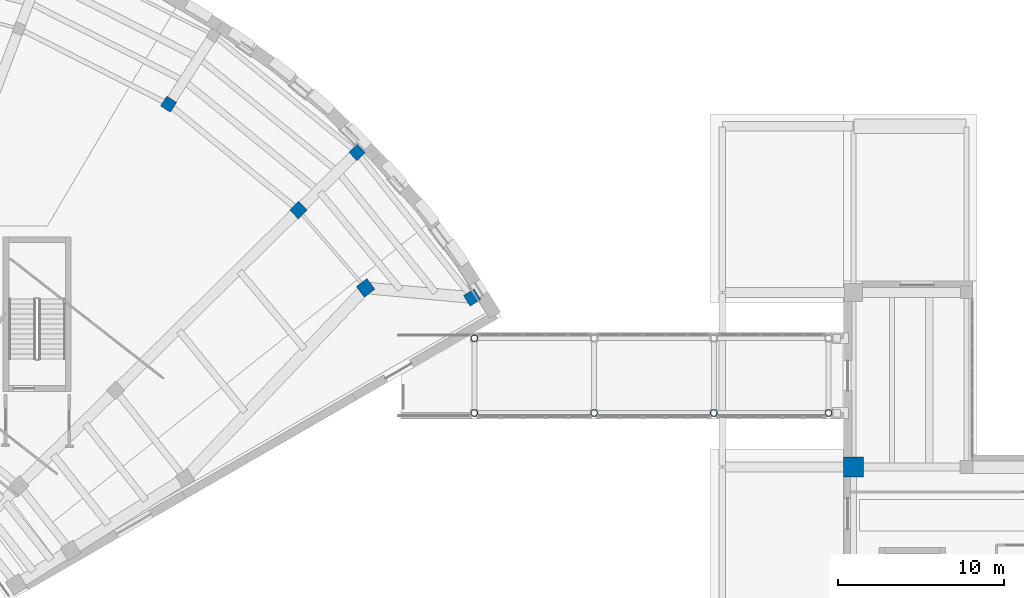
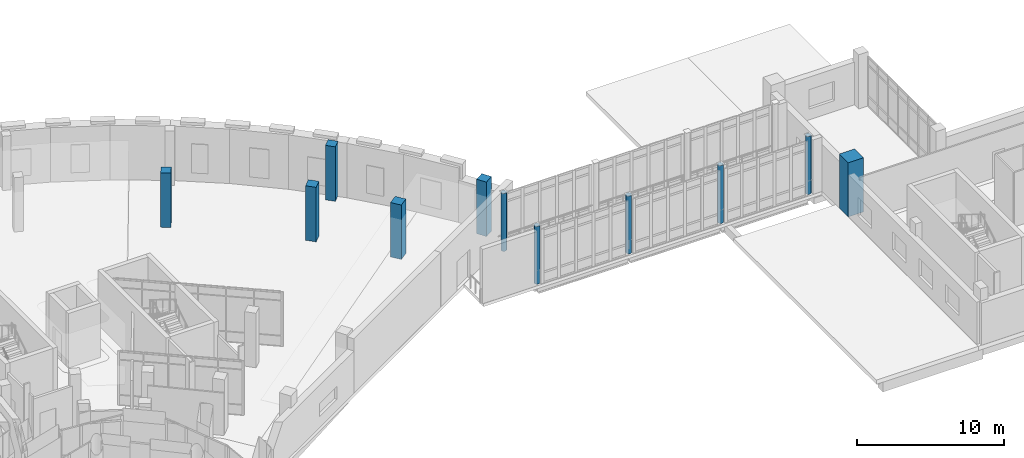
# One storey, part 3 of 75: 11 columns.
"""IFC4 building model written with IfcOpenShell, lengths in metres."""

from ifc_helpers import new_model, si_unit, direction, frame, origin, origin_2d, place, context, subcontext, project, spatial, rectangle, hollow_circle, extrude, material, material_profile, profile_set, type_object, element, save


model = new_model("IFC4")

# Units and contexts
model_context = context("Model", 3, precision=1e-05, world=origin(), true_north=direction((0.0, 1.0)))
body_context = subcontext(model_context, "Body", "Model", "MODEL_VIEW")
ifc_project = project(units=[si_unit("LENGTHUNIT", "METRE"), si_unit("AREAUNIT", "SQUARE_METRE"), si_unit("VOLUMEUNIT", "CUBIC_METRE"), si_unit("PLANEANGLEUNIT", "RADIAN"), si_unit("MASSUNIT", "GRAM", prefix="KILO")], contexts=[model_context])

# Site, building, storey
site_placement = place(None, origin())
site = spatial("IfcSite", under=ifc_project, at=site_placement, CompositionType="ELEMENT")
building_placement = place(site_placement, origin())
building = spatial("IfcBuilding", under=site, at=building_placement, Name="Soyqirgoq Riverine Aquarium", CompositionType="ELEMENT")
storey_placement = place(building_placement, frame((0.0, 0.0, 10.199951171875)))
storey = spatial("IfcBuildingStorey", under=building, at=storey_placement, Name="L03", CompositionType="ELEMENT", Elevation=10.199951171875)

# Columns
ifc_material_1 = material(Name="Waterproof concrete C45/55", Category="concrete")
ifc_material_profile_1 = material_profile(ifc_material_1, rectangle(XDim=1.199951171875, YDim=1.199951171875, at=origin_2d()), Name="RC 1200x1200")
ifc_profile_set_1 = profile_set([ifc_material_profile_1], Name="Waterproof concrete C45/55")
column_type_1 = type_object("IfcColumnType", Name="Col_RC_1200x1200", PredefinedType="COLUMN", material=ifc_profile_set_1)
column_1_placement = place(storey_placement, frame((122.60009765625, 74.300048828125, 0.0), z_axis=(0.0, 0.0, 1.0), x_axis=(1.0, 0.0, 0.0)))
element("IfcColumn", 1, at=column_1_placement, inside=storey, type_object=column_type_1, Name="V7 Column V7-C-10 L03", PredefinedType="COLUMN", context=body_context, shape_type="SweptSolid", body=[
    extrude(rectangle(XDim=1.199951171875, YDim=1.199951171875, at=origin_2d()), origin(), (0.0, 0.0, 1.0), 4.5),
])
ifc_material_2 = material(Name="Concrete C40/50", Category="concrete")
ifc_material_profile_2 = material_profile(ifc_material_2, rectangle(XDim=0.699951171875, YDim=0.699951171875, at=origin_2d()), Name="RC 700x700")
ifc_profile_set_2 = profile_set([ifc_material_profile_2], Name="Concrete C40/50")
column_type_2 = type_object("IfcColumnType", Name="Col_RC_700x700", PredefinedType="COLUMN", material=ifc_profile_set_2)
for number, where, z_axis, x_axis, name in (
    (2, (92.740478515625, 93.231201171875, 0.0), (0.0, 0.0, 1.0), (0.712026045991, 0.702153052995, 0.0), "V5 Column V5-CR5-02 L03"),
    (3, (81.407470703125, 96.1240234375, 0.0), (0.0, 0.0, 1.0), (0.544639035015, 0.838670567945, 0.0), "V5 Column V5-CR4-03 L03"),
):
    element("IfcColumn", number, at=place(storey_placement, frame(where, z_axis=z_axis, x_axis=x_axis)), inside=storey, type_object=column_type_2, Name=name, PredefinedType="COLUMN", context=body_context, shape_type="SweptSolid", body=[
        extrude(rectangle(XDim=0.699951171875, YDim=0.699951171875, at=origin_2d()), origin(), (0.0, 0.0, 1.0), 4.52001953125),
    ])
ifc_material_3 = material(Name="Concrete C40/50", Category="concrete")
ifc_material_profile_3 = material_profile(ifc_material_3, rectangle(XDim=0.75, YDim=0.75, at=origin_2d()), Name="RC 750x750")
ifc_profile_set_3 = profile_set([ifc_material_profile_3], Name="Concrete C40/50")
column_type_3 = type_object("IfcColumnType", Name="Col_RC_750x750", PredefinedType="COLUMN", material=ifc_profile_set_3)
for number, where, z_axis, x_axis, name in (
    (4, (99.66357421875, 84.496337890625, 0.0), (0.0, 0.0, 1.0), (0.846193166128, 0.532876276071, 0.0), "V5 Column V5-CR5-01 L03"),
    (5, (89.216064453125, 89.75537109375, 0.0), (0.0, 0.0, 1.0), (0.712026045991, 0.702153052995, 0.0), "V5 Column V5-CR4-02 L03"),
):
    element("IfcColumn", number, at=place(storey_placement, frame(where, z_axis=z_axis, x_axis=x_axis)), inside=storey, type_object=column_type_3, Name=name, PredefinedType="COLUMN", context=body_context, shape_type="SweptSolid", body=[
        extrude(rectangle(XDim=0.75, YDim=0.75, at=origin_2d()), origin(), (0.0, 0.0, 1.0), 4.52001953125),
    ])
ifc_material_4 = material(Name="Concrete C40/50", Category="concrete")
ifc_material_profile_4 = material_profile(ifc_material_4, rectangle(XDim=0.800048828125, YDim=0.800048828125, at=origin_2d()), Name="RC 800x800")
ifc_profile_set_4 = profile_set([ifc_material_profile_4], Name="Concrete C40/50")
column_type_4 = type_object("IfcColumnType", Name="Col_RC_800x800", PredefinedType="COLUMN", material=ifc_profile_set_4)
column_2_placement = place(storey_placement, frame((93.25634765625, 85.07470703125, 0.0), z_axis=(0.0, 0.0, 1.0), x_axis=(0.798635510047, 0.601815023152, 0.0)))
element("IfcColumn", 6, at=column_2_placement, inside=storey, type_object=column_type_4, Name="V5 Column V5-CR4-01 L03", PredefinedType="COLUMN", context=body_context, shape_type="SweptSolid", body=[
    extrude(rectangle(XDim=0.800048828125, YDim=0.800048828125, at=origin_2d()), origin(), (0.0, 0.0, 1.0), 4.52001953125),
])
ifc_material_5 = material(Name="Structural steel S355", Category="steel")
ifc_material_profile_5 = material_profile(ifc_material_5, hollow_circle(Radius=0.203125, WallThickness=0.01611328125, at=origin_2d()), Name="CHS 406.4x16")
ifc_profile_set_5 = profile_set([ifc_material_profile_5], Name="Structural steel S355")
column_type_5 = type_object("IfcColumnType", Name="Col_Steel_CHS406", PredefinedType="COLUMN", material=ifc_profile_set_5)
for number, where, z_axis, x_axis, name in (
    (7, (99.800048828125, 77.550048828125, 0.0), (0.0, 0.0, 1.0), (1.0, 0.0, 0.0), "Bridge Pier Column BR-2-CP-99-S L03"),
    (8, (99.800048828125, 82.050048828125, 0.0), (0.0, 0.0, 1.0), (1.0, 0.0, 0.0), "Bridge Pier Column BR-2-CP-99-N L03"),
    (9, (107.0, 77.550048828125, 0.0), (0.0, 0.0, 1.0), (1.0, 0.0, 0.0), "Bridge Pier Column BR-2-CP-107-S L03"),
    (10, (114.199951171875, 77.550048828125, 0.0), (0.0, 0.0, 1.0), (1.0, 0.0, 0.0), "Bridge Pier Column BR-2-CP-114-S L03"),
    (11, (121.10009765625, 77.550048828125, 0.0), (0.0, 0.0, 1.0), (1.0, 0.0, 0.0), "Bridge Pier Column BR-2-CP-121-S L03"),
):
    element("IfcColumn", number, at=place(storey_placement, frame(where, z_axis=z_axis, x_axis=x_axis)), inside=storey, type_object=column_type_5, Name=name, PredefinedType="COLUMN", context=body_context, shape_type="SweptSolid", body=[
        extrude(hollow_circle(Radius=0.203125, WallThickness=0.01611328125, at=origin_2d()), origin(), (0.0, 0.0, 1.0), 4.800048828125),
    ])

save(model, "model.ifc")
